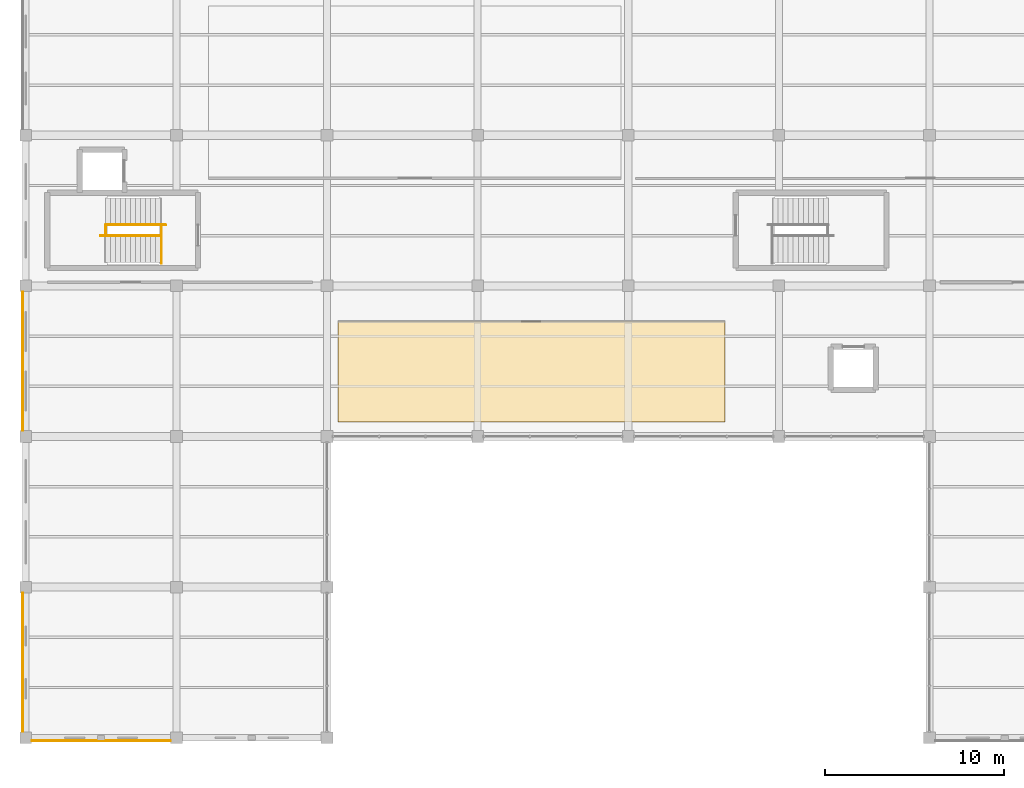
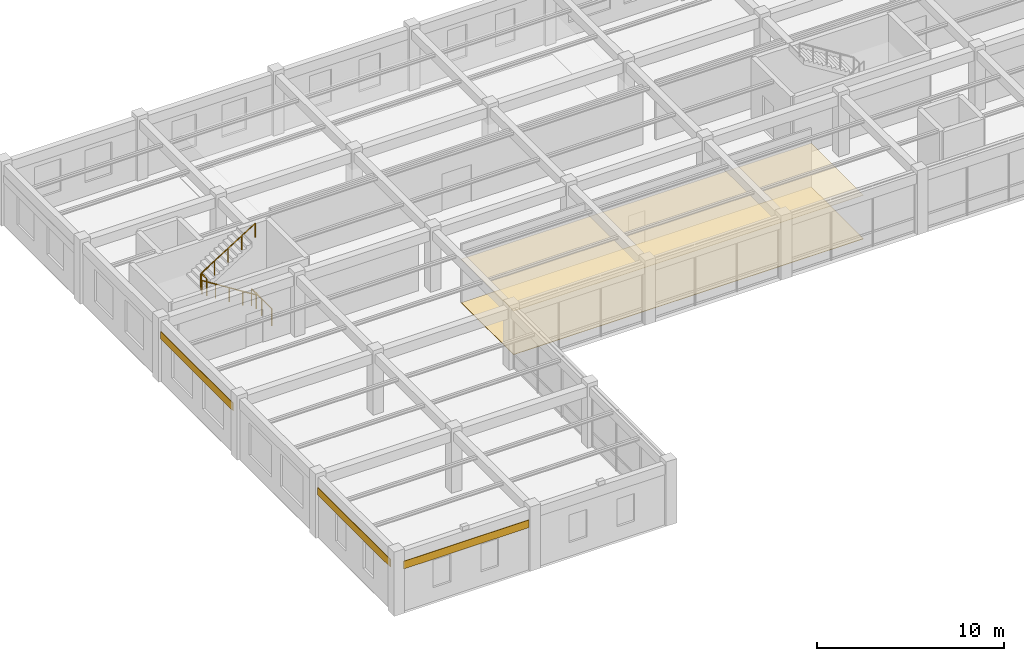
# One storey, part 127 of 138: 5 coverings, 4 railings.
"""IFC4 building model written with IfcOpenShell, lengths in metres."""

from ifc_helpers import new_model, si_unit, direction, frame, origin, origin_2d, place, context, subcontext, project, spatial, polyline, circle, outline, extrude, material, layer, layer_set, type_object, element, save


model = new_model("IFC4")

# Units and contexts
model_context = context("Model", 3, precision=1e-05, world=origin(), true_north=direction((0.0, 1.0)))
body_context = subcontext(model_context, "Body", "Model", "MODEL_VIEW")
ifc_project = project(units=[si_unit("LENGTHUNIT", "METRE"), si_unit("AREAUNIT", "SQUARE_METRE"), si_unit("VOLUMEUNIT", "CUBIC_METRE"), si_unit("PLANEANGLEUNIT", "RADIAN"), si_unit("MASSUNIT", "GRAM", prefix="KILO"), si_unit("THERMODYNAMICTEMPERATUREUNIT", "KELVIN"), si_unit("POWERUNIT", "WATT")], contexts=[model_context])

# Site, building, storey
site_placement = place(None, origin())
site = spatial("IfcSite", under=ifc_project, at=site_placement, CompositionType="ELEMENT")
building_placement = place(site_placement, origin())
building = spatial("IfcBuilding", under=site, at=building_placement, Name="Darbajah Civic Hall", CompositionType="ELEMENT")
storey_placement = place(building_placement, frame((0.0, 0.0, 9.60009765625)))
storey = spatial("IfcBuildingStorey", under=building, at=storey_placement, Name="L02", CompositionType="ELEMENT", Elevation=9.60009765625)

# Railings
ifc_material_1 = material(Name="Brushed Bronze Stainless Steel", Category="steel")
railing_type_1 = type_object("IfcRailingType", Name="Brushed Bronze Handrail", PredefinedType="HANDRAIL", material=ifc_material_1)
railing_1_placement = place(storey_placement, frame((7.52001953125, 28.0, 0.1748046875)))
element("IfcRailing", 1, at=railing_1_placement, inside=storey, type_object=railing_type_1, Name="ST10 L02 lower flight handrail", PredefinedType="HANDRAIL", context=body_context, shape_type="SweptSolid", body=[
    extrude(circle(Radius=0.02392578125, at=origin_2d()), frame((-0.023193359375, 0.0, 0.910400390625), z_axis=(-0.845944288966, 0.0, 0.533271281775), x_axis=(0.0, -1.0, 0.0)), (0.0, 0.0, 1.0), 3.91748046875),
    extrude(circle(Radius=0.02099609375, at=origin_2d()), origin(), (0.0, 0.0, 1.0), 0.867919921875),
    extrude(circle(Radius=0.02099609375, at=origin_2d()), frame((-0.840087890625, 0.0, 0.529541015625)), (0.0, 0.0, 1.0), 0.867919921875),
    extrude(circle(Radius=0.02099609375, at=origin_2d()), frame((-1.68017578125, 0.0, 1.05908203125)), (0.0, 0.0, 1.0), 0.867919921875),
    extrude(circle(Radius=0.02099609375, at=origin_2d()), frame((-2.52001953125, 0.0, 1.588623046875)), (0.0, 0.0, 1.0), 0.867919921875),
    extrude(circle(Radius=0.02099609375, at=origin_2d()), frame((-3.360107421875, 0.0, 2.1181640625)), (0.0, 0.0, 1.0), 0.867919921875),
])
railing_2_placement = place(storey_placement, frame((4.43994140625, 28.60009765625, 2.27490234375)))
element("IfcRailing", 2, at=railing_2_placement, inside=storey, type_object=railing_type_1, Name="ST10 L02 upper flight handrail", PredefinedType="HANDRAIL", context=body_context, shape_type="SweptSolid", body=[
    extrude(circle(Radius=0.02392578125, at=origin_2d()), frame((0.023193359375, 0.0, 0.910400390625), z_axis=(0.845944288966, 0.0, 0.533271281775), x_axis=(0.0, 1.0, 0.0)), (0.0, 0.0, 1.0), 3.91748046875),
    extrude(circle(Radius=0.02099609375, at=origin_2d()), origin(), (0.0, 0.0, 1.0), 0.867919921875),
    extrude(circle(Radius=0.02099609375, at=origin_2d()), frame((0.840087890625, 0.0, 0.529541015625)), (0.0, 0.0, 1.0), 0.867919921875),
    extrude(circle(Radius=0.02099609375, at=origin_2d()), frame((1.68017578125, 0.0, 1.05908203125)), (0.0, 0.0, 1.0), 0.867919921875),
    extrude(circle(Radius=0.02099609375, at=origin_2d()), frame((2.52001953125, 0.0, 1.588623046875)), (0.0, 0.0, 1.0), 0.867919921875),
    extrude(circle(Radius=0.02099609375, at=origin_2d()), frame((3.360107421875, 0.0, 2.1181640625)), (0.0, 0.0, 1.0), 0.867919921875),
])

# Covering
ifc_material_2 = material(Name="Honed Qatari Limestone Terrazzo", Category="masonry")
ifc_layer_1 = layer(ifc_material_2, 0.030029296875, Name="Honed Qatari Limestone Terrazzo")
ifc_layer_set_1 = layer_set([ifc_layer_1], Name="Honed Qatari Limestone Terrazzo")
covering_type_1 = type_object("IfcCoveringType", Name="Honed Qatari Limestone Terrazzo Flooring", PredefinedType="FLOORING", material=ifc_layer_set_1)
covering_1_placement = place(storey_placement, origin())
element("IfcCovering", 3, at=covering_1_placement, inside=storey, type_object=covering_type_1, Name="L02 stone terrazzo flooring L02-V5-02", PredefinedType="FLOORING", context=body_context, shape_type="SweptSolid", body=[
    extrude(outline(polyline([(17.39990234375, 17.60009765625), (39.0, 17.60009765625), (39.0, 23.199951171875), (17.39990234375, 23.199951171875), (17.39990234375, 17.60009765625)])), origin(), (0.0, 0.0, 1.0), 0.02978515625),
])

# Railings
ifc_material_3 = material(Name="Brushed Bronze and Laminated Safety Glass", Category="glass")
railing_type_2 = type_object("IfcRailingType", Name="Interior Guard Balustrade", PredefinedType="BALUSTRADE", material=ifc_material_3)
railing_3_placement = place(storey_placement, frame((7.570068359375, 26.449951171875, 0.0)))
element("IfcRailing", 4, at=railing_3_placement, inside=storey, type_object=railing_type_2, Name="ST10 L02 stair-well edge guard", PredefinedType="BALUSTRADE", context=body_context, shape_type="SweptSolid", body=[
    extrude(circle(Radius=0.02392578125, at=origin_2d()), frame((0.0, 0.02734375, 1.09619140625), z_axis=(0.0, 1.0, 0.0), x_axis=(-1.0, 0.0, 0.0)), (0.0, 0.0, 1.0), 2.095458984375),
    extrude(circle(Radius=0.02099609375, at=origin_2d()), origin(), (0.0, 0.0, 1.0), 1.068115234375),
    extrude(circle(Radius=0.02099609375, at=origin_2d()), frame((0.0, 1.0751953125, 0.0)), (0.0, 0.0, 1.0), 1.068115234375),
    extrude(circle(Radius=0.02099609375, at=origin_2d()), frame((0.0, 2.150146484375, 0.0)), (0.0, 0.0, 1.0), 1.068115234375),
])
railing_4_placement = place(storey_placement, frame((4.4599609375, 28.0, 2.099853515625)))
element("IfcRailing", 5, at=railing_4_placement, inside=storey, type_object=railing_type_2, Name="ST10 L02 landing well guard", PredefinedType="BALUSTRADE", context=body_context, shape_type="SweptSolid", body=[
    extrude(circle(Radius=0.02392578125, at=origin_2d()), frame((0.0, 0.02734375, 1.09619140625), z_axis=(0.0, 1.0, 0.0), x_axis=(-1.0, 0.0, 0.0)), (0.0, 0.0, 1.0), 0.54541015625),
    extrude(circle(Radius=0.02099609375, at=origin_2d()), origin(), (0.0, 0.0, 1.0), 1.068115234375),
    extrude(circle(Radius=0.02099609375, at=origin_2d()), frame((0.0, 0.60009765625, 0.0)), (0.0, 0.0, 1.0), 1.068115234375),
])

# Coverings
ifc_material_4 = material(Name="Qatari Desert Limestone Ashlar", Category="masonry")
ifc_layer_2 = layer(ifc_material_4, 0.044921875, Name="Qatari Desert Limestone Ashlar")
ifc_layer_set_2 = layer_set([ifc_layer_2], Name="Qatari Desert Limestone Ashlar")
covering_type_2 = type_object("IfcCoveringType", Name="Limestone Facade Cladding", PredefinedType="CLADDING", material=ifc_layer_set_2)
covering_2_placement = place(storey_placement, frame((0.0, 0.0, 2.789794921875)))
element("IfcCovering", 6, at=covering_2_placement, inside=storey, type_object=covering_type_2, Name="L02 stone frieze cladding EW-V5-L02-S0-B0", PredefinedType="CLADDING", context=body_context, shape_type="SweptSolid", body=[
    extrude(outline(polyline([(0.326904296875, -0.155029296875), (8.072998046875, -0.155029296875), (8.072998046875, -0.199951171875), (0.326904296875, -0.199951171875), (0.326904296875, -0.155029296875)])), origin(), (0.0, 0.0, 1.0), 0.5),
])
covering_3_placement = place(storey_placement, frame((0.0, 0.0, 2.789794921875)))
element("IfcCovering", 7, at=covering_3_placement, inside=storey, type_object=covering_type_2, Name="L02 stone frieze cladding EW-V5-L02-S7-B2", PredefinedType="CLADDING", context=body_context, shape_type="SweptSolid", body=[
    extrude(outline(polyline([(-0.155029296875, 24.873046875), (-0.155029296875, 17.126953125), (-0.199951171875, 17.126953125), (-0.199951171875, 24.873046875), (-0.155029296875, 24.873046875)])), origin(), (0.0, 0.0, 1.0), 0.5),
])
covering_4_placement = place(storey_placement, frame((0.0, 0.0, 2.789794921875)))
element("IfcCovering", 8, at=covering_4_placement, inside=storey, type_object=covering_type_2, Name="L02 stone frieze cladding EW-V5-L02-S7-B4", PredefinedType="CLADDING", context=body_context, shape_type="SweptSolid", body=[
    extrude(outline(polyline([(-0.155029296875, 8.072998046875), (-0.155029296875, 0.326904296875), (-0.199951171875, 0.326904296875), (-0.199951171875, 8.072998046875), (-0.155029296875, 8.072998046875)])), origin(), (0.0, 0.0, 1.0), 0.5),
])
ifc_material_5 = material(Name="Perforated Acoustic Gypsum Board")
ifc_layer_3 = layer(ifc_material_5, 0.02490234375, Name="Perforated Acoustic Gypsum Board")
ifc_layer_set_3 = layer_set([ifc_layer_3], Name="Perforated Acoustic Gypsum Board")
covering_type_3 = type_object("IfcCoveringType", Name="Perforated Acoustic Gypsum Ceiling", PredefinedType="CEILING", material=ifc_layer_set_3)
covering_5_placement = place(storey_placement, frame((0.0, 0.0, 2.849853515625)))
element("IfcCovering", 9, at=covering_5_placement, inside=storey, type_object=covering_type_3, Name="L02 acoustic suspended ceiling L02-V5-02", PredefinedType="CEILING", context=body_context, shape_type="SweptSolid", body=[
    extrude(outline(polyline([(17.39990234375, 17.60009765625), (39.0, 17.60009765625), (39.0, 23.199951171875), (17.39990234375, 23.199951171875), (17.39990234375, 17.60009765625)])), origin(), (0.0, 0.0, 1.0), 0.025146484375),
])

save(model, "model.ifc")
